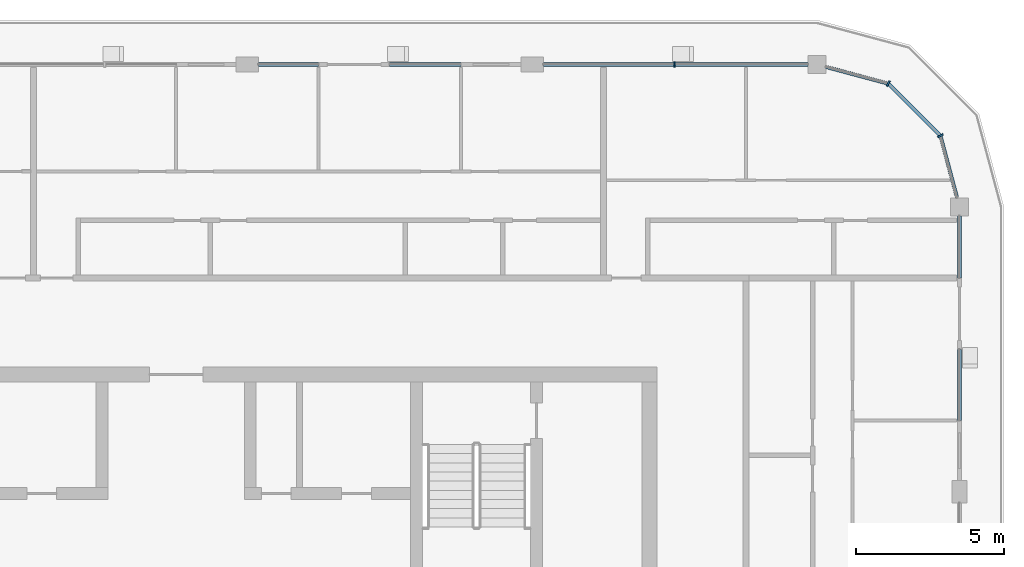
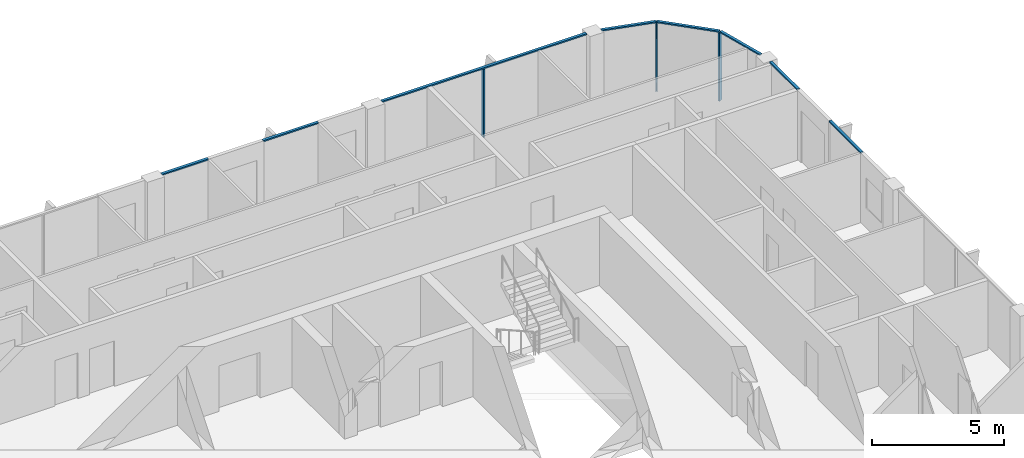
# One storey, part 6 of 22: 11 members, 4 elements without a shape of their own.
"""IFC4 building model written with IfcOpenShell, lengths in metres."""

from ifc_helpers import new_model, si_unit, direction, frame, origin, origin_2d, place, context, subcontext, project, spatial, rectangle, extrude, material, layer, layer_set, material_profile, profile_set, type_object, element, aggregate, save


model = new_model("IFC4")

# Units and contexts
model_context = context("Model", 3, precision=1e-05, world=origin(), true_north=direction((0.0, 1.0)))
body_context = subcontext(model_context, "Body", "Model", "MODEL_VIEW")
ifc_project = project(units=[si_unit("LENGTHUNIT", "METRE"), si_unit("AREAUNIT", "SQUARE_METRE"), si_unit("VOLUMEUNIT", "CUBIC_METRE"), si_unit("PLANEANGLEUNIT", "RADIAN"), si_unit("MASSUNIT", "GRAM", prefix="KILO")], contexts=[model_context])

# Site, building, storey
site_placement = place(None, origin())
site = spatial("IfcSite", under=ifc_project, at=site_placement, CompositionType="ELEMENT")
building_placement = place(site_placement, origin())
building = spatial("IfcBuilding", under=site, at=building_placement, Name="Madar Terraces", CompositionType="ELEMENT")
storey_placement = place(building_placement, frame((0.0, 0.0, 279.10009765625)))
storey = spatial("IfcBuildingStorey", under=building, at=storey_placement, Name="L73", CompositionType="ELEMENT", Elevation=279.10009765625)

# Curtain wall, member
ifc_material_1 = material(Name="Glass, ceramic frit dark grey, with black aluminium frame", Category="aluminium")
ifc_layer = layer(ifc_material_1, 0.199951171875)
ifc_layer_set = layer_set([ifc_layer], Name="Facade curtain wall, fritted glass")
curtain_wall_type = type_object("IfcCurtainWallType", Name="Facade curtain wall, fritted glass", PredefinedType="NOTDEFINED", material=ifc_layer_set)
curtain_wall_1_placement = place(storey_placement, origin())
curtain_wall_1 = element("IfcCurtainWall", 1, at=curtain_wall_1_placement, inside=storey, type_object=curtain_wall_type, Name="Outer skin curtain wall north bay 1", PredefinedType="NOTDEFINED")
ifc_material_2 = material(Name="Aluminium, black anodised", Category="aluminium")
ifc_material_profile_1 = material_profile(ifc_material_2, rectangle(XDim=0.199951171875, YDim=0.06005859375, at=origin_2d()), Name="Facade mullion 60x200")
ifc_profile_set_1 = profile_set([ifc_material_profile_1], Name="Aluminium, black anodised")
member_type_1 = type_object("IfcMemberType", Name="Facade mullion 60x200", PredefinedType="MULLION", material=ifc_profile_set_1)
member_1_placement = place(storey_placement, frame((48.0, 48.0, 0.0), z_axis=(0.0, 0.0, 1.0), x_axis=(0.0, -1.0, 0.0)))
member_1 = element("IfcMember", 2, at=member_1_placement, type_object=member_type_1, Name="Mullion 1", PredefinedType="MULLION", context=body_context, shape_type="SweptSolid", body=[
    extrude(rectangle(XDim=0.199951171875, YDim=0.06005859375, at=origin_2d()), origin(), (0.0, 0.0, 1.0), 3.139892578125),
])

# Curtain wall, members
curtain_wall_2_placement = place(storey_placement, origin())
curtain_wall_2 = element("IfcCurtainWall", 3, at=curtain_wall_2_placement, inside=storey, type_object=curtain_wall_type, Name="Outer skin curtain wall north-east corner", PredefinedType="NOTDEFINED")
member_2_placement = place(storey_placement, frame((56.95703125, 45.60009765625, 0.0), z_axis=(0.0, 0.0, 1.0), x_axis=(-0.866025409797, -0.499999989586, 0.0)))
member_2 = element("IfcMember", 4, at=member_2_placement, type_object=member_type_1, Name="Mullion 1", PredefinedType="MULLION", context=body_context, shape_type="SweptSolid", body=[
    extrude(rectangle(XDim=0.199951171875, YDim=0.06005859375, at=origin_2d()), origin(), (0.0, 0.0, 1.0), 3.139892578125),
])
member_3_placement = place(storey_placement, frame((55.199951171875, 47.35693359375, 0.0), z_axis=(0.0, 0.0, 1.0), x_axis=(-0.499999989586, -0.866025409797, 0.0)))
member_3 = element("IfcMember", 5, at=member_3_placement, type_object=member_type_1, Name="Mullion 2", PredefinedType="MULLION", context=body_context, shape_type="SweptSolid", body=[
    extrude(rectangle(XDim=0.199951171875, YDim=0.06005859375, at=origin_2d()), origin(), (0.0, 0.0, 1.0), 3.139892578125),
])

curtain_wall_3_placement = place(storey_placement, origin())
curtain_wall_3 = element("IfcCurtainWall", 6, at=curtain_wall_3_placement, inside=storey, type_object=curtain_wall_type, Name="Outer skin curtain wall east bay 4", PredefinedType="NOTDEFINED")
ifc_material_3 = material(Name="Aluminium, black anodised", Category="aluminium")
ifc_material_profile_2 = material_profile(ifc_material_3, rectangle(XDim=0.1201171875, YDim=0.06005859375, at=origin_2d()), Name="Facade transom 60x120")
ifc_profile_set_2 = profile_set([ifc_material_profile_2], Name="Aluminium, black anodised")
member_type_2 = type_object("IfcMemberType", Name="Facade transom 60x120", PredefinedType="USERDEFINED", material=ifc_profile_set_2)
member_4_placement = place(storey_placement, frame((57.60009765625, 36.0, 3.169921875), z_axis=(0.0, 1.0, 0.0), x_axis=(-1.0, 0.0, 0.0)))
member_4 = element("IfcMember", 7, at=member_4_placement, type_object=member_type_2, Name="Transom 1", ObjectType="TRANSOM", PredefinedType="USERDEFINED", context=body_context, shape_type="SweptSolid", body=[
    extrude(rectangle(XDim=0.1201171875, YDim=0.06005859375, at=origin_2d()), origin(), (0.0, 0.0, 1.0), 2.39990234375),
])
member_5_placement = place(storey_placement, frame((57.60009765625, 40.800048828125, 3.169921875), z_axis=(0.0, 1.0, 0.0), x_axis=(-1.0, 0.0, 0.0)))
member_5 = element("IfcMember", 8, at=member_5_placement, type_object=member_type_2, Name="Transom 2", ObjectType="TRANSOM", PredefinedType="USERDEFINED", context=body_context, shape_type="SweptSolid", body=[
    extrude(rectangle(XDim=0.1201171875, YDim=0.06005859375, at=origin_2d()), origin(), (0.0, 0.0, 1.0), 2.099853515625),
])
aggregate(curtain_wall_3, [member_4, member_5])

# Member
member_6_placement = place(storey_placement, frame((52.5, 48.0, 3.169921875), z_axis=(-1.0, 0.0, 0.0), x_axis=(0.0, -1.0, 0.0)))
member_6 = element("IfcMember", 9, at=member_6_placement, type_object=member_type_2, Name="Transom 1", ObjectType="TRANSOM", PredefinedType="USERDEFINED", context=body_context, shape_type="SweptSolid", body=[
    extrude(rectangle(XDim=0.1201171875, YDim=0.06005859375, at=origin_2d()), origin(), (0.0, 0.0, 1.0), 8.925048828125),
])

aggregate(curtain_wall_1, [member_1, member_6])

# Curtain wall, members
curtain_wall_4_placement = place(storey_placement, origin())
curtain_wall_4 = element("IfcCurtainWall", 10, at=curtain_wall_4_placement, inside=storey, type_object=curtain_wall_type, Name="Outer skin curtain wall north bay 2", PredefinedType="NOTDEFINED")
member_7_placement = place(storey_placement, frame((40.800048828125, 48.0, 3.169921875), z_axis=(-1.0, 0.0, 0.0), x_axis=(0.0, -1.0, 0.0)))
member_7 = element("IfcMember", 11, at=member_7_placement, type_object=member_type_2, Name="Transom 1", ObjectType="TRANSOM", PredefinedType="USERDEFINED", context=body_context, shape_type="SweptSolid", body=[
    extrude(rectangle(XDim=0.1201171875, YDim=0.06005859375, at=origin_2d()), origin(), (0.0, 0.0, 1.0), 2.400146484375),
])
member_8_placement = place(storey_placement, frame((36.0, 48.0, 3.169921875), z_axis=(-1.0, 0.0, 0.0), x_axis=(0.0, -1.0, 0.0)))
member_8 = element("IfcMember", 12, at=member_8_placement, type_object=member_type_2, Name="Transom 2", ObjectType="TRANSOM", PredefinedType="USERDEFINED", context=body_context, shape_type="SweptSolid", body=[
    extrude(rectangle(XDim=0.1201171875, YDim=0.06005859375, at=origin_2d()), origin(), (0.0, 0.0, 1.0), 2.02490234375),
])
aggregate(curtain_wall_4, [member_7, member_8])

# Member
member_9_placement = place(storey_placement, frame((57.51953125, 43.5, 3.169921875), z_axis=(-0.258817664066, 0.965926196336, 0.0), x_axis=(-0.965926196336, -0.258817664066, 0.0)))
member_9 = element("IfcMember", 13, at=member_9_placement, type_object=member_type_2, Name="Transom 1", ObjectType="TRANSOM", PredefinedType="USERDEFINED", context=body_context, shape_type="SweptSolid", body=[
    extrude(rectangle(XDim=0.1201171875, YDim=0.06005859375, at=origin_2d()), origin(), (0.0, 0.0, 1.0), 2.14404296875),
])

member_10_placement = place(storey_placement, frame((56.935791015625, 45.62109375, 3.169921875), z_axis=(-0.707106781187, 0.707106781187, 0.0), x_axis=(-0.707106781187, -0.707106781187, 0.0)))
member_10 = element("IfcMember", 14, at=member_10_placement, type_object=member_type_2, Name="Transom 2", ObjectType="TRANSOM", PredefinedType="USERDEFINED", context=body_context, shape_type="SweptSolid", body=[
    extrude(rectangle(XDim=0.1201171875, YDim=0.06005859375, at=origin_2d()), origin(), (0.0, 0.0, 1.0), 2.4248046875),
])

member_11_placement = place(storey_placement, frame((55.171142578125, 47.36474609375, 3.169921875), z_axis=(-0.965926196336, 0.258817664066, 0.0), x_axis=(-0.258817664066, -0.965926196336, 0.0)))
member_11 = element("IfcMember", 15, at=member_11_placement, type_object=member_type_2, Name="Transom 3", ObjectType="TRANSOM", PredefinedType="USERDEFINED", context=body_context, shape_type="SweptSolid", body=[
    extrude(rectangle(XDim=0.1201171875, YDim=0.06005859375, at=origin_2d()), origin(), (0.0, 0.0, 1.0), 2.14404296875),
])

aggregate(curtain_wall_2, [member_2, member_9, member_3, member_10, member_11])

save(model, "model.ifc")
